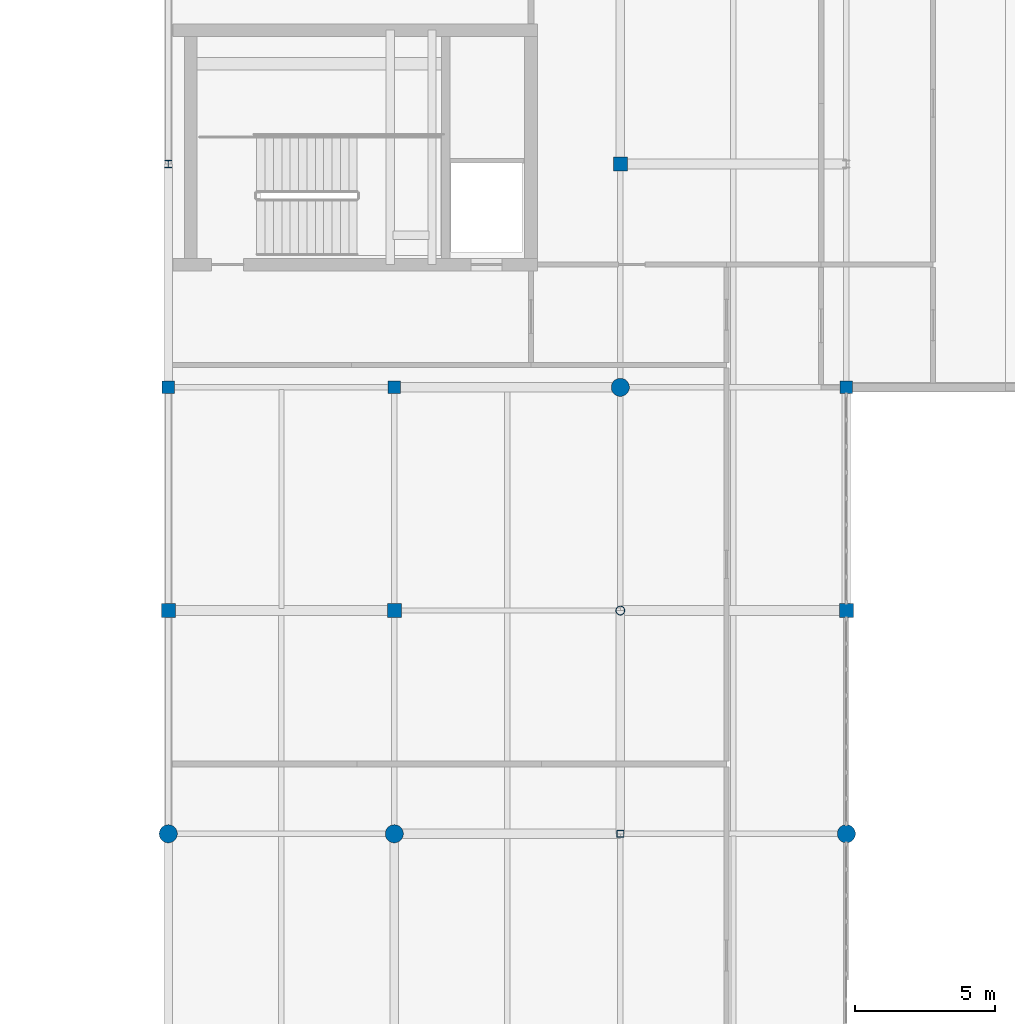
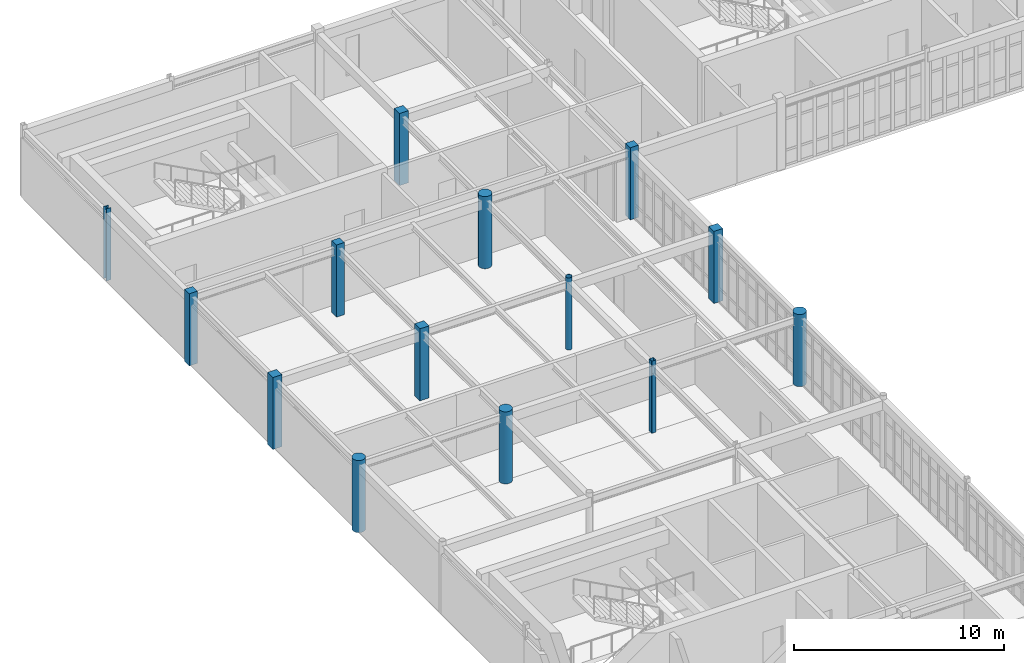
# One storey, part 2 of 36: 14 columns.
"""IFC4 building model written with IfcOpenShell, lengths in metres."""

from ifc_helpers import new_model, si_unit, direction, frame, origin, origin_2d, place, context, subcontext, project, spatial, rectangle, hollow_rectangle, circle, hollow_circle, i_section, extrude, material, material_profile, profile_set, type_object, element, save


model = new_model("IFC4")

# Units and contexts
model_context = context("Model", 3, precision=1e-05, world=origin(), true_north=direction((0.0, 1.0)))
body_context = subcontext(model_context, "Body", "Model", "MODEL_VIEW")
ifc_project = project(units=[si_unit("LENGTHUNIT", "METRE"), si_unit("AREAUNIT", "SQUARE_METRE"), si_unit("VOLUMEUNIT", "CUBIC_METRE"), si_unit("PLANEANGLEUNIT", "RADIAN"), si_unit("MASSUNIT", "GRAM", prefix="KILO")], contexts=[model_context])

# Site, building, storey
site_placement = place(None, origin())
site = spatial("IfcSite", under=ifc_project, at=site_placement, CompositionType="ELEMENT")
building_placement = place(site_placement, origin())
building = spatial("IfcBuilding", under=site, at=building_placement, Name="Tarnveldt Square Police Headquarters", CompositionType="ELEMENT")
storey_placement = place(building_placement, frame((0.0, 0.0, 24.89990234375)))
storey = spatial("IfcBuildingStorey", under=building, at=storey_placement, Name="L05", CompositionType="ELEMENT", Elevation=24.89990234375)

# Columns
ifc_material_1 = material(Name="Steel 350W", Category="steel")
ifc_material_profile_1 = material_profile(ifc_material_1, hollow_circle(Radius=0.161865234375, WallThickness=0.0126953125, at=origin_2d()), Name="HSS324x13")
ifc_profile_set_1 = profile_set([ifc_material_profile_1], Name="Steel 350W")
column_type_1 = type_object("IfcColumnType", Name="COL-CHS324x13", PredefinedType="COLUMN", material=ifc_profile_set_1)
column_1_placement = place(storey_placement, frame((32.39990234375, 88.0, 0.0), z_axis=(0.0, 0.0, 1.0), x_axis=(1.0, 0.0, 0.0)))
element("IfcColumn", 1, at=column_1_placement, inside=storey, type_object=column_type_1, Name="L05 Column 052", PredefinedType="COLUMN", context=body_context, shape_type="SweptSolid", body=[
    extrude(hollow_circle(Radius=0.161865234375, WallThickness=0.0126953125, at=origin_2d()), origin(), (0.0, 0.0, 1.0), 4.2001953125),
])
ifc_material_2 = material(Name="Concrete 40 MPa", Category="concrete")
ifc_material_profile_2 = material_profile(ifc_material_2, circle(Radius=0.324951171875, at=origin_2d()), Name="RC-D650")
ifc_profile_set_2 = profile_set([ifc_material_profile_2], Name="Concrete 40 MPa")
column_type_2 = type_object("IfcColumnType", Name="COL-D650", PredefinedType="COLUMN", material=ifc_profile_set_2)
for number, where, z_axis, x_axis, name in (
    (2, (16.199951171875, 80.0, 0.0), (0.0, 0.0, 1.0), (1.0, 0.0, 0.0), "L05 Column 023"),
    (3, (24.300048828125, 80.0, 0.0), (0.0, 0.0, 1.0), (1.0, 0.0, 0.0), "L05 Column 035"),
    (4, (32.39990234375, 96.0, 0.0), (0.0, 0.0, 1.0), (1.0, 0.0, 0.0), "L05 Column 053"),
    (5, (40.5, 80.0, 0.0), (0.0, 0.0, 1.0), (1.0, 0.0, 0.0), "L05 Column 065"),
):
    element("IfcColumn", number, at=place(storey_placement, frame(where, z_axis=z_axis, x_axis=x_axis)), inside=storey, type_object=column_type_2, Name=name, PredefinedType="COLUMN", context=body_context, shape_type="SweptSolid", body=[
        extrude(circle(Radius=0.324951171875, at=origin_2d()), origin(), (0.0, 0.0, 1.0), 4.2001953125),
    ])
ifc_material_profile_3 = material_profile(ifc_material_1, hollow_rectangle(XDim=0.25390625, YDim=0.25390625, WallThickness=0.0126953125, InnerFilletRadius=0.0126953125, OuterFilletRadius=0.025390625, at=origin_2d()), Name="HSS254x254x13")
ifc_profile_set_3 = profile_set([ifc_material_profile_3], Name="Steel 350W")
column_type_3 = type_object("IfcColumnType", Name="COL-HSS254x13", PredefinedType="COLUMN", material=ifc_profile_set_3)
column_2_placement = place(storey_placement, frame((32.39990234375, 80.0, 0.0), z_axis=(0.0, 0.0, 1.0), x_axis=(1.0, 0.0, 0.0)))
element("IfcColumn", 6, at=column_2_placement, inside=storey, type_object=column_type_3, Name="L05 Column 051", PredefinedType="COLUMN", context=body_context, shape_type="SweptSolid", body=[
    extrude(hollow_rectangle(XDim=0.25390625, YDim=0.25390625, WallThickness=0.0126953125, InnerFilletRadius=0.0126953125, OuterFilletRadius=0.025390625, at=origin_2d()), origin(), (0.0, 0.0, 1.0), 4.2001953125),
])
ifc_material_profile_4 = material_profile(ifc_material_2, rectangle(XDim=0.449951171875, YDim=0.449951171875, at=origin_2d()), Name="RC-C450x450")
ifc_profile_set_4 = profile_set([ifc_material_profile_4], Name="Concrete 40 MPa")
column_type_4 = type_object("IfcColumnType", Name="COL-RC450", PredefinedType="COLUMN", material=ifc_profile_set_4)
for number, where, z_axis, x_axis, name in (
    (7, (16.199951171875, 96.0, 0.0), (0.0, 0.0, 1.0), (1.0, 0.0, 0.0), "L05 Column 025"),
    (8, (24.300048828125, 96.0, 0.0), (0.0, 0.0, 1.0), (1.0, 0.0, 0.0), "L05 Column 037"),
    (9, (40.5, 96.0, 0.0), (0.0, 0.0, 1.0), (1.0, 0.0, 0.0), "L05 Column 067"),
):
    element("IfcColumn", number, at=place(storey_placement, frame(where, z_axis=z_axis, x_axis=x_axis)), inside=storey, type_object=column_type_4, Name=name, PredefinedType="COLUMN", context=body_context, shape_type="SweptSolid", body=[
        extrude(rectangle(XDim=0.449951171875, YDim=0.449951171875, at=origin_2d()), origin(), (0.0, 0.0, 1.0), 4.2001953125),
    ])
ifc_material_profile_5 = material_profile(ifc_material_2, rectangle(XDim=0.5, YDim=0.5, at=origin_2d()), Name="RC-C500x500")
ifc_profile_set_5 = profile_set([ifc_material_profile_5], Name="Concrete 40 MPa")
column_type_5 = type_object("IfcColumnType", Name="COL-RC500", PredefinedType="COLUMN", material=ifc_profile_set_5)
for number, where, z_axis, x_axis, name in (
    (10, (16.199951171875, 88.0, 0.0), (0.0, 0.0, 1.0), (1.0, 0.0, 0.0), "L05 Column 024"),
    (11, (24.300048828125, 88.0, 0.0), (0.0, 0.0, 1.0), (1.0, 0.0, 0.0), "L05 Column 036"),
    (12, (32.39990234375, 104.0, 0.0), (0.0, 0.0, 1.0), (1.0, 0.0, 0.0), "L05 Column 054"),
    (13, (40.5, 88.0, 0.0), (0.0, 0.0, 1.0), (1.0, 0.0, 0.0), "L05 Column 066"),
):
    element("IfcColumn", number, at=place(storey_placement, frame(where, z_axis=z_axis, x_axis=x_axis)), inside=storey, type_object=column_type_5, Name=name, PredefinedType="COLUMN", context=body_context, shape_type="SweptSolid", body=[
        extrude(rectangle(XDim=0.5, YDim=0.5, at=origin_2d()), origin(), (0.0, 0.0, 1.0), 4.2001953125),
    ])
ifc_material_profile_6 = material_profile(ifc_material_1, i_section(OverallWidth=0.256103515625, OverallDepth=0.260009765625, WebThickness=0.0107421875, FlangeThickness=0.017333984375, FilletRadius=0.012939453125, at=origin_2d()), Name="W250x89")
ifc_profile_set_6 = profile_set([ifc_material_profile_6], Name="Steel 350W")
column_type_6 = type_object("IfcColumnType", Name="COL-W250x89", PredefinedType="COLUMN", material=ifc_profile_set_6)
column_3_placement = place(storey_placement, frame((16.199951171875, 104.0, 0.0), z_axis=(0.0, 0.0, 1.0), x_axis=(1.0, 0.0, 0.0)))
element("IfcColumn", 14, at=column_3_placement, inside=storey, type_object=column_type_6, Name="L05 Column 026", PredefinedType="COLUMN", context=body_context, shape_type="SweptSolid", body=[
    extrude(i_section(OverallWidth=0.256103515625, OverallDepth=0.260009765625, WebThickness=0.0107421875, FlangeThickness=0.017333984375, FilletRadius=0.012939453125, at=origin_2d()), origin(), (0.0, 0.0, 1.0), 4.2001953125),
])

save(model, "model.ifc")
